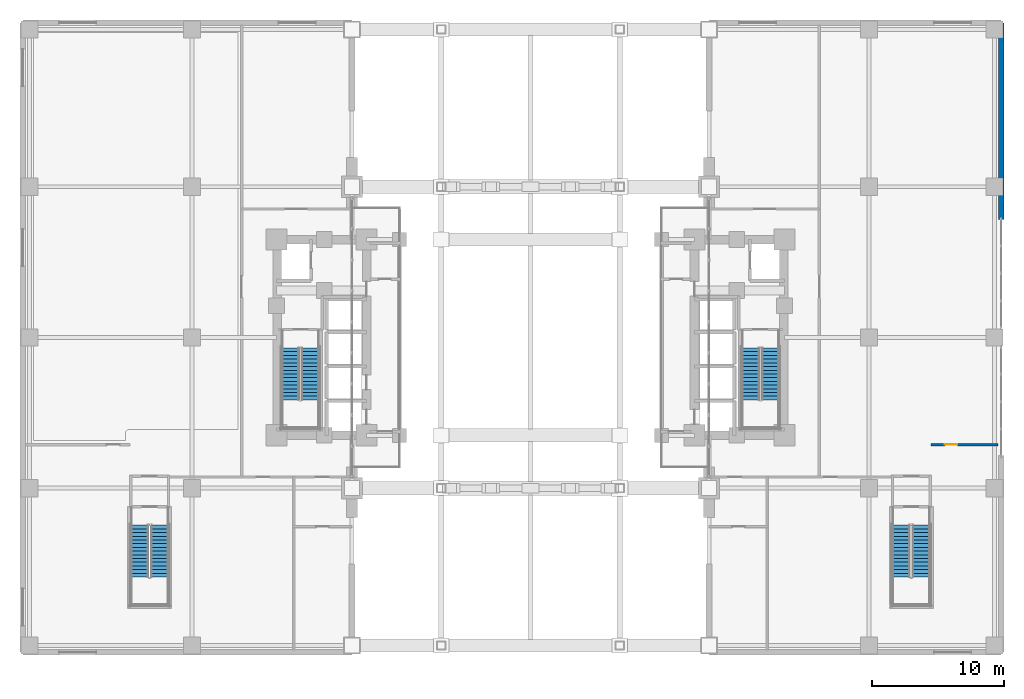
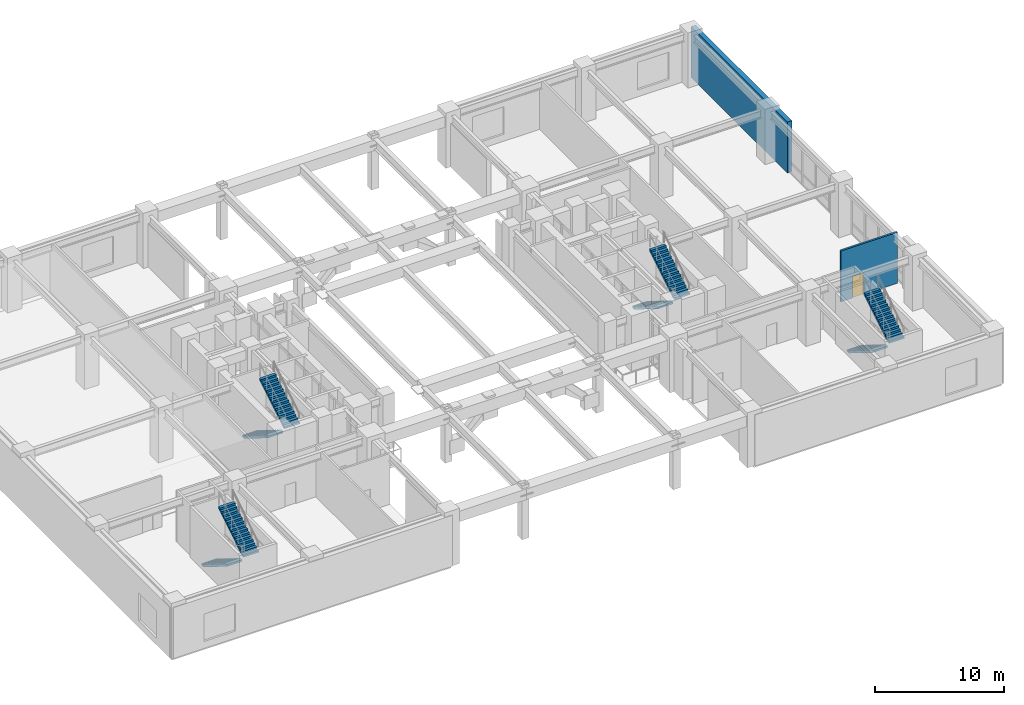
# One storey, part 21 of 26: 8 stair flights, 2 walls, 1 door, 1 opening, 4 elements without a shape of their own.
"""IFC4 building model written with IfcOpenShell, lengths in metres."""

from ifc_helpers import new_model, si_unit, direction, frame, frame_2d, origin, place, context, subcontext, project, spatial, polyline, rectangle, outline, extrude, material, layer, layer_set, type_object, element, fill, aggregate, save


model = new_model("IFC4")

# Units and contexts
model_context = context("Model", 3, precision=1e-05, world=origin(), true_north=direction((0.0, 1.0)))
body_context = subcontext(model_context, "Body", "Model", "MODEL_VIEW")
ifc_project = project(units=[si_unit("LENGTHUNIT", "METRE"), si_unit("AREAUNIT", "SQUARE_METRE"), si_unit("VOLUMEUNIT", "CUBIC_METRE"), si_unit("PLANEANGLEUNIT", "RADIAN"), si_unit("MASSUNIT", "GRAM", prefix="KILO")], contexts=[model_context])

# Site, building, storey
site_placement = place(None, origin())
site = spatial("IfcSite", under=ifc_project, at=site_placement, CompositionType="ELEMENT")
building_placement = place(site_placement, origin())
building = spatial("IfcBuilding", under=site, at=building_placement, Name="Voryun Gate Residences", CompositionType="ELEMENT")
storey_placement = place(building_placement, frame((0.0, 0.0, 15.60009765625)))
storey = spatial("IfcBuildingStorey", under=building, at=storey_placement, Name="L03", CompositionType="ELEMENT", Elevation=15.60009765625)

# Wall, opening, door
ifc_material_1 = material(Name="Gypsum acoustic fireboard")
ifc_layer_1 = layer(ifc_material_1, 0.179931640625, Name="W_CORR_RATED_180")
ifc_layer_set_1 = layer_set([ifc_layer_1], Name="Gypsum acoustic fireboard")
wall_type_1 = type_object("IfcWallType", Name="W_CORR_RATED_180", PredefinedType="PARTITIONING", material=ifc_layer_set_1)
wall_1_placement = place(storey_placement, frame((30.300048828125, -8.10009765625, 0.0), z_axis=(0.0, 0.0, 1.0), x_axis=(1.0, 0.0, 0.0)))
wall_1 = element("IfcWall", 1, at=wall_1_placement, inside=storey, type_object=wall_type_1, Name="Partition wall WP-L03-ECS1", PredefinedType="PARTITIONING", context=body_context, shape_type="SweptSolid", body=[
    extrude(rectangle(XDim=5.050048828125, YDim=0.179931640625, at=frame_2d((2.52490234375, 0.0))), origin(), (0.0, 0.0, 1.0), 4.7998046875),
])
opening_placement = place(wall_1_placement, frame((1.0400390625, 0.0, 0.0)))
opening = element("IfcOpeningElement", 2, at=opening_placement, cuts=wall_1, Name="Opening D-INT-1", PredefinedType="OPENING", context=body_context, shape_type="SweptSolid", body=[
    extrude(rectangle(XDim=0.949951171875, YDim=2.050048828125, at=frame_2d((0.47509765625, 1.02490234375))), frame((0.0, 0.099853515625, 0.0), z_axis=(0.0, -1.0, 0.0), x_axis=(1.0, 0.0, 0.0)), (0.0, 0.0, 1.0), 0.199951171875),
])
ifc_material_2 = material(Name="Architectural oak veneer")
door_type = type_object("IfcDoorType", Name="DR_INT_ROOM_950", OperationType="NOTDEFINED", PredefinedType="DOOR", material=ifc_material_2)
door_placement = place(opening_placement, origin())
door = element("IfcDoor", 3, at=door_placement, inside=storey, type_object=door_type, Name="Door DR-L03-ED3B", OperationType="SINGLE_SWING_RIGHT", OverallHeight=2.050048828125, OverallWidth=0.949951171875, PredefinedType="DOOR", context=body_context, shape_type="SweptSolid", body=[
    extrude(rectangle(XDim=0.949951171875, YDim=2.050048828125, at=frame_2d((0.47509765625, 1.02490234375))), frame((0.0, 0.02490234375, 0.0), z_axis=(0.0, -1.0, 0.0), x_axis=(1.0, 0.0, 0.0)), (0.0, 0.0, 1.0), 0.050048828125),
])
fill(opening, door)

# Wall
ifc_material_3 = material(Name="Granite masonry", Category="masonry")
ifc_layer_2 = layer(ifc_material_3, 0.419921875, Name="W_EXT_PODIUM_420")
ifc_layer_set_2 = layer_set([ifc_layer_2], Name="Granite masonry")
wall_type_2 = type_object("IfcWallType", Name="W_EXT_PODIUM_420", PredefinedType="ELEMENTEDWALL", material=ifc_layer_set_2)
wall_2_placement = place(storey_placement, frame((35.60009765625, 8.919921875, 0.0), z_axis=(0.0, 0.0, 1.0), x_axis=(0.0, 1.0, 0.0)))
element("IfcWall", 4, at=wall_2_placement, inside=storey, type_object=wall_type_2, Name="Exterior wall WEP-L03-EP-2B", PredefinedType="ELEMENTEDWALL", context=body_context, shape_type="SweptSolid", body=[
    extrude(rectangle(XDim=14.880126953125, YDim=0.419921875, at=frame_2d((7.43994140625, 0.0))), origin(), (0.0, 0.0, 1.0), 4.7998046875),
])

# Stair, stair flights
ifc_material_4 = material(Name="Concrete C40/50", Category="concrete")
stair_type_1 = type_object("IfcStairType", Name="STR_CORE_DOGLEG_1350", PredefinedType="HALF_TURN_STAIR", material=ifc_material_4)
stair_1_placement = place(storey_placement, origin())
stair_1 = element("IfcStair", 5, at=stair_1_placement, inside=storey, type_object=stair_type_1, Name="L03 Special Escape Stair ST-W1", PredefinedType="HALF_TURN_STAIR")
ifc_material_5 = material(Name="Concrete C40/50", Category="concrete")
stair_flight_type_1 = type_object("IfcStairFlightType", Name="FLT_CORE_1350", PredefinedType="STRAIGHT", material=ifc_material_5)
stair_flight_1_placement = place(storey_placement, frame((-18.14990234375, -0.800048828125, 0.0), z_axis=(0.0, 0.0, 1.0), x_axis=(0.0, -1.0, 0.0)))
stair_flight_1 = element("IfcStairFlight", 6, at=stair_flight_1_placement, type_object=stair_flight_type_1, Name="ST-W1 flight 1", NumberOfRisers=15, NumberOfTreads=14, PredefinedType="STRAIGHT", RiserHeight=0.173333333, TreadLength=0.28, context=body_context, shape_type="SweptSolid", body=[
    extrude(outline(polyline([(0.0, 0.0), (0.0, 0.17333984375), (0.280029296875, 0.17333984375), (0.280029296875, 0.3466796875), (0.56005859375, 0.3466796875), (0.56005859375, 0.52001953125), (0.840087890625, 0.52001953125), (0.840087890625, 0.693359375), (1.1201171875, 0.693359375), (1.1201171875, 0.86669921875), (1.39990234375, 0.86669921875), (1.39990234375, 1.0400390625), (1.679931640625, 1.0400390625), (1.679931640625, 1.21337890625), (1.9599609375, 1.21337890625), (1.9599609375, 1.38671875), (2.239990234375, 1.38671875), (2.239990234375, 1.56005859375), (2.52001953125, 1.56005859375), (2.52001953125, 1.7333984375), (2.800048828125, 1.7333984375), (2.800048828125, 1.90673828125), (3.080078125, 1.90673828125), (3.080078125, 2.080078125), (3.360107421875, 2.080078125), (3.360107421875, 2.25341796875), (3.639892578125, 2.25341796875), (3.639892578125, 2.4267578125), (3.919921875, 2.4267578125), (3.919921875, 2.60009765625), (3.919921875, 2.250244140625), (0.284912109375, 0.0), (0.0, 0.0)])), frame((0.0, 0.675048828125, 0.0), z_axis=(0.0, -1.0, 0.0), x_axis=(1.0, 0.0, 0.0)), (0.0, 0.0, 1.0), 1.35009765625),
])
stair_flight_2_placement = place(storey_placement, frame((-16.64990234375, -4.719970703125, 2.599853515625), z_axis=(0.0, 0.0, 1.0), x_axis=(0.0, 1.0, 0.0)))
stair_flight_2 = element("IfcStairFlight", 7, at=stair_flight_2_placement, type_object=stair_flight_type_1, Name="ST-W1 flight 2", NumberOfRisers=15, NumberOfTreads=14, PredefinedType="STRAIGHT", RiserHeight=0.173333333, TreadLength=0.28, context=body_context, shape_type="SweptSolid", body=[
    extrude(outline(polyline([(0.0, 0.0), (0.0, 0.17333984375), (0.280029296875, 0.17333984375), (0.280029296875, 0.3466796875), (0.56005859375, 0.3466796875), (0.56005859375, 0.52001953125), (0.840087890625, 0.52001953125), (0.840087890625, 0.693359375), (1.1201171875, 0.693359375), (1.1201171875, 0.86669921875), (1.39990234375, 0.86669921875), (1.39990234375, 1.0400390625), (1.679931640625, 1.0400390625), (1.679931640625, 1.21337890625), (1.9599609375, 1.21337890625), (1.9599609375, 1.38671875), (2.239990234375, 1.38671875), (2.239990234375, 1.56005859375), (2.52001953125, 1.56005859375), (2.52001953125, 1.7333984375), (2.800048828125, 1.7333984375), (2.800048828125, 1.90673828125), (3.080078125, 1.90673828125), (3.080078125, 2.080078125), (3.360107421875, 2.080078125), (3.360107421875, 2.25341796875), (3.639892578125, 2.25341796875), (3.639892578125, 2.4267578125), (3.919921875, 2.4267578125), (3.919921875, 2.60009765625), (3.919921875, 2.250244140625), (0.284912109375, 0.0), (0.0, 0.0)])), frame((0.0, 0.675048828125, 0.0), z_axis=(0.0, -1.0, 0.0), x_axis=(1.0, 0.0, 0.0)), (0.0, 0.0, 1.0), 1.35009765625),
])
aggregate(stair_1, [stair_flight_1, stair_flight_2])

stair_2_placement = place(storey_placement, origin())
stair_2 = element("IfcStair", 8, at=stair_2_placement, inside=storey, type_object=stair_type_1, Name="L03 Special Escape Stair ST-E1", PredefinedType="HALF_TURN_STAIR")
stair_flight_3_placement = place(storey_placement, frame((16.64990234375, -0.800048828125, 0.0), z_axis=(0.0, 0.0, 1.0), x_axis=(0.0, -1.0, 0.0)))
stair_flight_3 = element("IfcStairFlight", 9, at=stair_flight_3_placement, type_object=stair_flight_type_1, Name="ST-E1 flight 1", NumberOfRisers=15, NumberOfTreads=14, PredefinedType="STRAIGHT", RiserHeight=0.173333333, TreadLength=0.28, context=body_context, shape_type="SweptSolid", body=[
    extrude(outline(polyline([(0.0, 0.0), (0.0, 0.17333984375), (0.280029296875, 0.17333984375), (0.280029296875, 0.3466796875), (0.56005859375, 0.3466796875), (0.56005859375, 0.52001953125), (0.840087890625, 0.52001953125), (0.840087890625, 0.693359375), (1.1201171875, 0.693359375), (1.1201171875, 0.86669921875), (1.39990234375, 0.86669921875), (1.39990234375, 1.0400390625), (1.679931640625, 1.0400390625), (1.679931640625, 1.21337890625), (1.9599609375, 1.21337890625), (1.9599609375, 1.38671875), (2.239990234375, 1.38671875), (2.239990234375, 1.56005859375), (2.52001953125, 1.56005859375), (2.52001953125, 1.7333984375), (2.800048828125, 1.7333984375), (2.800048828125, 1.90673828125), (3.080078125, 1.90673828125), (3.080078125, 2.080078125), (3.360107421875, 2.080078125), (3.360107421875, 2.25341796875), (3.639892578125, 2.25341796875), (3.639892578125, 2.4267578125), (3.919921875, 2.4267578125), (3.919921875, 2.60009765625), (3.919921875, 2.250244140625), (0.284912109375, 0.0), (0.0, 0.0)])), frame((0.0, 0.675048828125, 0.0), z_axis=(0.0, -1.0, 0.0), x_axis=(1.0, 0.0, 0.0)), (0.0, 0.0, 1.0), 1.35009765625),
])
stair_flight_4_placement = place(storey_placement, frame((18.14990234375, -4.719970703125, 2.599853515625), z_axis=(0.0, 0.0, 1.0), x_axis=(0.0, 1.0, 0.0)))
stair_flight_4 = element("IfcStairFlight", 10, at=stair_flight_4_placement, type_object=stair_flight_type_1, Name="ST-E1 flight 2", NumberOfRisers=15, NumberOfTreads=14, PredefinedType="STRAIGHT", RiserHeight=0.173333333, TreadLength=0.28, context=body_context, shape_type="SweptSolid", body=[
    extrude(outline(polyline([(0.0, 0.0), (0.0, 0.17333984375), (0.280029296875, 0.17333984375), (0.280029296875, 0.3466796875), (0.56005859375, 0.3466796875), (0.56005859375, 0.52001953125), (0.840087890625, 0.52001953125), (0.840087890625, 0.693359375), (1.1201171875, 0.693359375), (1.1201171875, 0.86669921875), (1.39990234375, 0.86669921875), (1.39990234375, 1.0400390625), (1.679931640625, 1.0400390625), (1.679931640625, 1.21337890625), (1.9599609375, 1.21337890625), (1.9599609375, 1.38671875), (2.239990234375, 1.38671875), (2.239990234375, 1.56005859375), (2.52001953125, 1.56005859375), (2.52001953125, 1.7333984375), (2.800048828125, 1.7333984375), (2.800048828125, 1.90673828125), (3.080078125, 1.90673828125), (3.080078125, 2.080078125), (3.360107421875, 2.080078125), (3.360107421875, 2.25341796875), (3.639892578125, 2.25341796875), (3.639892578125, 2.4267578125), (3.919921875, 2.4267578125), (3.919921875, 2.60009765625), (3.919921875, 2.250244140625), (0.284912109375, 0.0), (0.0, 0.0)])), frame((0.0, 0.675048828125, 0.0), z_axis=(0.0, -1.0, 0.0), x_axis=(1.0, 0.0, 0.0)), (0.0, 0.0, 1.0), 1.35009765625),
])
aggregate(stair_2, [stair_flight_3, stair_flight_4])

ifc_material_6 = material(Name="Concrete C40/50", Category="concrete")
stair_type_2 = type_object("IfcStairType", Name="STR_CROWN_DOGLEG_1250", PredefinedType="HALF_TURN_STAIR", material=ifc_material_6)
stair_3_placement = place(storey_placement, origin())
stair_3 = element("IfcStair", 11, at=stair_3_placement, inside=storey, type_object=stair_type_2, Name="L03 Special Escape Stair ST-P1", PredefinedType="HALF_TURN_STAIR")
ifc_material_7 = material(Name="Concrete C40/50", Category="concrete")
stair_flight_type_2 = type_object("IfcStairFlightType", Name="FLT_CROWN_1250", PredefinedType="STRAIGHT", material=ifc_material_7)
stair_flight_5_placement = place(storey_placement, frame((-29.550048828125, -14.199951171875, 0.0), z_axis=(0.0, 0.0, 1.0), x_axis=(0.0, -1.0, 0.0)))
stair_flight_5 = element("IfcStairFlight", 12, at=stair_flight_5_placement, type_object=stair_flight_type_2, Name="ST-P1 flight 1", NumberOfRisers=15, NumberOfTreads=14, PredefinedType="STRAIGHT", RiserHeight=0.173333333, TreadLength=0.28, context=body_context, shape_type="SweptSolid", body=[
    extrude(outline(polyline([(0.0, 0.0), (0.0, 0.17333984375), (0.280029296875, 0.17333984375), (0.280029296875, 0.3466796875), (0.56005859375, 0.3466796875), (0.56005859375, 0.52001953125), (0.840087890625, 0.52001953125), (0.840087890625, 0.693359375), (1.1201171875, 0.693359375), (1.1201171875, 0.86669921875), (1.39990234375, 0.86669921875), (1.39990234375, 1.0400390625), (1.679931640625, 1.0400390625), (1.679931640625, 1.21337890625), (1.9599609375, 1.21337890625), (1.9599609375, 1.38671875), (2.239990234375, 1.38671875), (2.239990234375, 1.56005859375), (2.52001953125, 1.56005859375), (2.52001953125, 1.7333984375), (2.800048828125, 1.7333984375), (2.800048828125, 1.90673828125), (3.080078125, 1.90673828125), (3.080078125, 2.080078125), (3.360107421875, 2.080078125), (3.360107421875, 2.25341796875), (3.639892578125, 2.25341796875), (3.639892578125, 2.4267578125), (3.919921875, 2.4267578125), (3.919921875, 2.60009765625), (3.919921875, 2.250244140625), (0.284912109375, 0.0), (0.0, 0.0)])), frame((0.0, 0.675048828125, 0.0), z_axis=(0.0, -1.0, 0.0), x_axis=(1.0, 0.0, 0.0)), (0.0, 0.0, 1.0), 1.35009765625),
])
stair_flight_6_placement = place(storey_placement, frame((-28.050048828125, -18.1201171875, 2.599853515625), z_axis=(0.0, 0.0, 1.0), x_axis=(0.0, 1.0, 0.0)))
stair_flight_6 = element("IfcStairFlight", 13, at=stair_flight_6_placement, type_object=stair_flight_type_2, Name="ST-P1 flight 2", NumberOfRisers=15, NumberOfTreads=14, PredefinedType="STRAIGHT", RiserHeight=0.173333333, TreadLength=0.28, context=body_context, shape_type="SweptSolid", body=[
    extrude(outline(polyline([(0.0, 0.0), (0.0, 0.17333984375), (0.280029296875, 0.17333984375), (0.280029296875, 0.3466796875), (0.56005859375, 0.3466796875), (0.56005859375, 0.52001953125), (0.840087890625, 0.52001953125), (0.840087890625, 0.693359375), (1.1201171875, 0.693359375), (1.1201171875, 0.86669921875), (1.39990234375, 0.86669921875), (1.39990234375, 1.0400390625), (1.679931640625, 1.0400390625), (1.679931640625, 1.21337890625), (1.9599609375, 1.21337890625), (1.9599609375, 1.38671875), (2.239990234375, 1.38671875), (2.239990234375, 1.56005859375), (2.52001953125, 1.56005859375), (2.52001953125, 1.7333984375), (2.800048828125, 1.7333984375), (2.800048828125, 1.90673828125), (3.080078125, 1.90673828125), (3.080078125, 2.080078125), (3.360107421875, 2.080078125), (3.360107421875, 2.25341796875), (3.639892578125, 2.25341796875), (3.639892578125, 2.4267578125), (3.919921875, 2.4267578125), (3.919921875, 2.60009765625), (3.919921875, 2.250244140625), (0.284912109375, 0.0), (0.0, 0.0)])), frame((0.0, 0.675048828125, 0.0), z_axis=(0.0, -1.0, 0.0), x_axis=(1.0, 0.0, 0.0)), (0.0, 0.0, 1.0), 1.35009765625),
])
aggregate(stair_3, [stair_flight_5, stair_flight_6])

stair_4_placement = place(storey_placement, origin())
stair_4 = element("IfcStair", 14, at=stair_4_placement, inside=storey, type_object=stair_type_2, Name="L03 Special Escape Stair ST-P2", PredefinedType="HALF_TURN_STAIR")
stair_flight_7_placement = place(storey_placement, frame((28.050048828125, -14.199951171875, 0.0), z_axis=(0.0, 0.0, 1.0), x_axis=(0.0, -1.0, 0.0)))
stair_flight_7 = element("IfcStairFlight", 15, at=stair_flight_7_placement, type_object=stair_flight_type_2, Name="ST-P2 flight 1", NumberOfRisers=15, NumberOfTreads=14, PredefinedType="STRAIGHT", RiserHeight=0.173333333, TreadLength=0.28, context=body_context, shape_type="SweptSolid", body=[
    extrude(outline(polyline([(0.0, 0.0), (0.0, 0.17333984375), (0.280029296875, 0.17333984375), (0.280029296875, 0.3466796875), (0.56005859375, 0.3466796875), (0.56005859375, 0.52001953125), (0.840087890625, 0.52001953125), (0.840087890625, 0.693359375), (1.1201171875, 0.693359375), (1.1201171875, 0.86669921875), (1.39990234375, 0.86669921875), (1.39990234375, 1.0400390625), (1.679931640625, 1.0400390625), (1.679931640625, 1.21337890625), (1.9599609375, 1.21337890625), (1.9599609375, 1.38671875), (2.239990234375, 1.38671875), (2.239990234375, 1.56005859375), (2.52001953125, 1.56005859375), (2.52001953125, 1.7333984375), (2.800048828125, 1.7333984375), (2.800048828125, 1.90673828125), (3.080078125, 1.90673828125), (3.080078125, 2.080078125), (3.360107421875, 2.080078125), (3.360107421875, 2.25341796875), (3.639892578125, 2.25341796875), (3.639892578125, 2.4267578125), (3.919921875, 2.4267578125), (3.919921875, 2.60009765625), (3.919921875, 2.250244140625), (0.284912109375, 0.0), (0.0, 0.0)])), frame((0.0, 0.675048828125, 0.0), z_axis=(0.0, -1.0, 0.0), x_axis=(1.0, 0.0, 0.0)), (0.0, 0.0, 1.0), 1.35009765625),
])
stair_flight_8_placement = place(storey_placement, frame((29.550048828125, -18.1201171875, 2.599853515625), z_axis=(0.0, 0.0, 1.0), x_axis=(0.0, 1.0, 0.0)))
stair_flight_8 = element("IfcStairFlight", 16, at=stair_flight_8_placement, type_object=stair_flight_type_2, Name="ST-P2 flight 2", NumberOfRisers=15, NumberOfTreads=14, PredefinedType="STRAIGHT", RiserHeight=0.173333333, TreadLength=0.28, context=body_context, shape_type="SweptSolid", body=[
    extrude(outline(polyline([(0.0, 0.0), (0.0, 0.17333984375), (0.280029296875, 0.17333984375), (0.280029296875, 0.3466796875), (0.56005859375, 0.3466796875), (0.56005859375, 0.52001953125), (0.840087890625, 0.52001953125), (0.840087890625, 0.693359375), (1.1201171875, 0.693359375), (1.1201171875, 0.86669921875), (1.39990234375, 0.86669921875), (1.39990234375, 1.0400390625), (1.679931640625, 1.0400390625), (1.679931640625, 1.21337890625), (1.9599609375, 1.21337890625), (1.9599609375, 1.38671875), (2.239990234375, 1.38671875), (2.239990234375, 1.56005859375), (2.52001953125, 1.56005859375), (2.52001953125, 1.7333984375), (2.800048828125, 1.7333984375), (2.800048828125, 1.90673828125), (3.080078125, 1.90673828125), (3.080078125, 2.080078125), (3.360107421875, 2.080078125), (3.360107421875, 2.25341796875), (3.639892578125, 2.25341796875), (3.639892578125, 2.4267578125), (3.919921875, 2.4267578125), (3.919921875, 2.60009765625), (3.919921875, 2.250244140625), (0.284912109375, 0.0), (0.0, 0.0)])), frame((0.0, 0.675048828125, 0.0), z_axis=(0.0, -1.0, 0.0), x_axis=(1.0, 0.0, 0.0)), (0.0, 0.0, 1.0), 1.35009765625),
])
aggregate(stair_4, [stair_flight_7, stair_flight_8])

save(model, "model.ifc")
